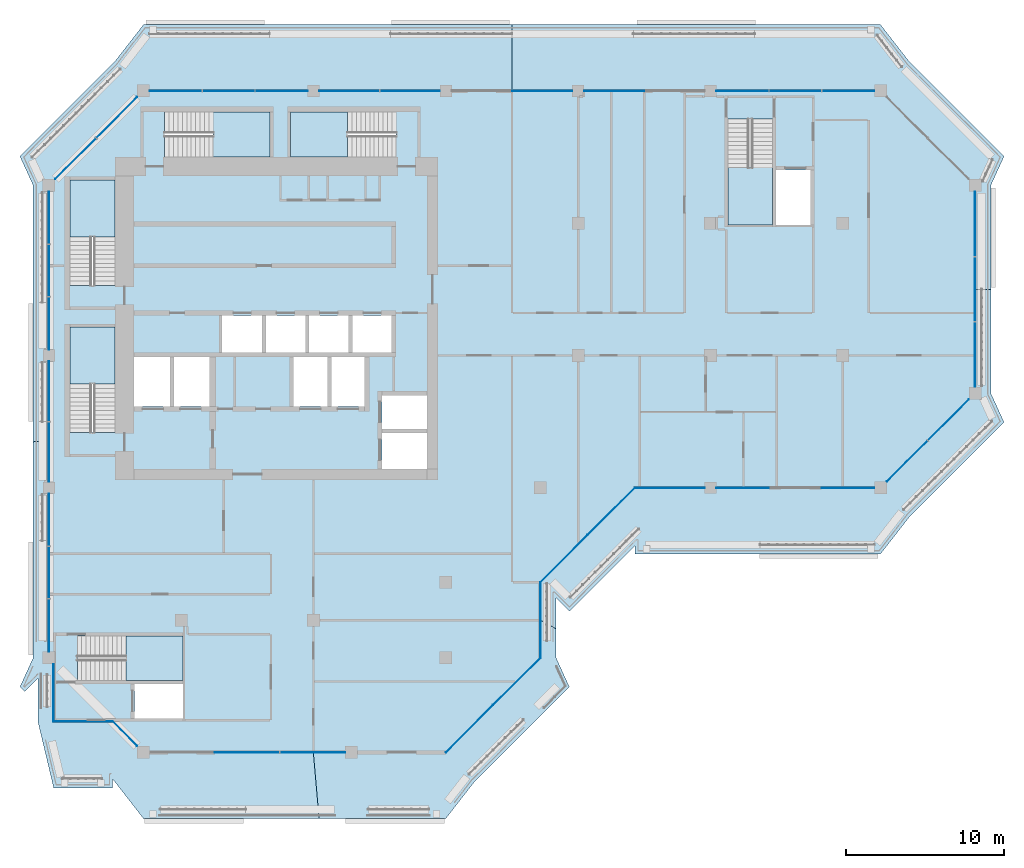
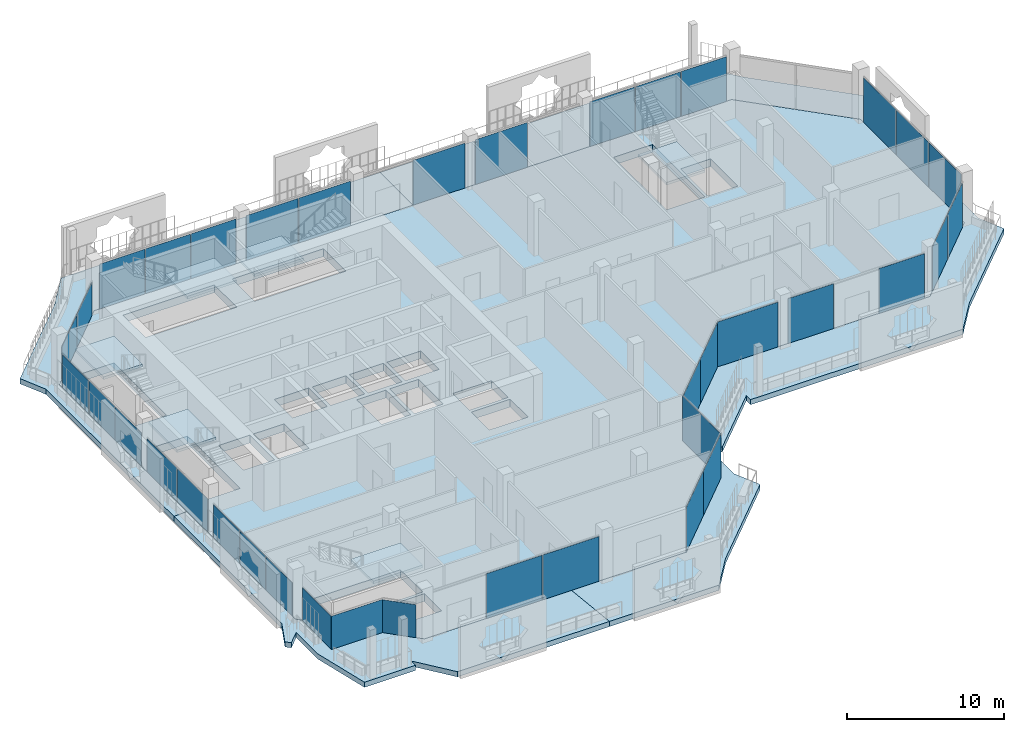
# One storey, part 9 of 22: 38 plates, 12 slabs, 19 elements without a shape of their own.
"""IFC4 building model written with IfcOpenShell, lengths in metres."""

from ifc_helpers import new_model, si_unit, direction, frame, origin, origin_2d, place, context, subcontext, project, spatial, polyline, rectangle, outline, extrude, material, layer, layer_set, type_object, element, aggregate, save


model = new_model("IFC4")

# Units and contexts
model_context = context("Model", 3, precision=1e-05, world=origin(), true_north=direction((0.0, 1.0)))
body_context = subcontext(model_context, "Body", "Model", "MODEL_VIEW")
ifc_project = project(units=[si_unit("LENGTHUNIT", "METRE"), si_unit("AREAUNIT", "SQUARE_METRE"), si_unit("VOLUMEUNIT", "CUBIC_METRE"), si_unit("PLANEANGLEUNIT", "RADIAN"), si_unit("MASSUNIT", "GRAM", prefix="KILO")], contexts=[model_context])

# Site, building, storey
site_placement = place(None, origin())
site = spatial("IfcSite", under=ifc_project, at=site_placement, CompositionType="ELEMENT")
building_placement = place(site_placement, origin())
building = spatial("IfcBuilding", under=site, at=building_placement, Name="Kawkab Arch Medical Tower", CompositionType="ELEMENT")
storey_placement = place(building_placement, frame((0.0, 0.0, 298.60009765625)))
storey = spatial("IfcBuildingStorey", under=building, at=storey_placement, Name="L69", CompositionType="ELEMENT", Elevation=298.60009765625)

# Curtain wall, plates
ifc_material_1 = material(Name="Bronze anodised aluminium curtain wall frame", Category="aluminium")
ifc_layer_1 = layer(ifc_material_1, 0.159912109375)
ifc_layer_set_1 = layer_set([ifc_layer_1], Name="Bronze anodised aluminium curtain wall frame")
curtain_wall_type_1 = type_object("IfcCurtainWallType", Name="CW1 ward curtain wall", PredefinedType="NOTDEFINED", material=ifc_layer_set_1)
placement_1 = place(storey_placement, origin())
curtain_wall_1 = element("IfcCurtainWall", 1, at=placement_1, inside=storey, type_object=curtain_wall_type_1, Name="CW1 Ward curtain wall R02", PredefinedType="NOTDEFINED")
ifc_material_2 = material(Name="Tinted insulating glass, bronze low-e coating", Category="glass")
ifc_layer_2 = layer(ifc_material_2, 0.031982421875)
ifc_layer_set_2 = layer_set([ifc_layer_2], Name="Tinted insulating glass, bronze low-e coating")
plate_type_1 = type_object("IfcPlateType", Name="CW1 glazing unit 32", PredefinedType="CURTAIN_PANEL", material=ifc_layer_set_2)
plate_1_placement = place(storey_placement, frame((0.0, -8.055908203125, -0.000244140625), z_axis=(0.0, 0.0, 1.0), x_axis=(0.0, -1.0, 0.0)))
plate_1 = element("IfcPlate", 2, at=plate_1_placement, type_object=plate_type_1, Name="CW1 glazing unit 1.1", PredefinedType="CURTAIN_PANEL", context=body_context, shape_type="SweptSolid", body=[
    extrude(rectangle(XDim=3.311767578125, YDim=0.031982421875, at=origin_2d()), origin(), (0.0, 0.0, 1.0), 2.580078125),
])
plate_2_placement = place(storey_placement, frame((0.0, -11.41259765625, -0.000244140625), z_axis=(0.0, 0.0, 1.0), x_axis=(0.0, -1.0, 0.0)))
plate_2 = element("IfcPlate", 3, at=plate_2_placement, type_object=plate_type_1, Name="CW1 glazing unit 1.2", PredefinedType="CURTAIN_PANEL", context=body_context, shape_type="SweptSolid", body=[
    extrude(rectangle(XDim=3.28173828125, YDim=0.031982421875, at=origin_2d()), origin(), (0.0, 0.0, 1.0), 2.580078125),
])
plate_3_placement = place(storey_placement, frame((0.0, -14.769287109375, -0.000244140625), z_axis=(0.0, 0.0, 1.0), x_axis=(0.0, -1.0, 0.0)))
plate_3 = element("IfcPlate", 4, at=plate_3_placement, type_object=plate_type_1, Name="CW1 glazing unit 1.3", PredefinedType="CURTAIN_PANEL", context=body_context, shape_type="SweptSolid", body=[
    extrude(rectangle(XDim=3.311767578125, YDim=0.031982421875, at=origin_2d()), origin(), (0.0, 0.0, 1.0), 2.580078125),
])
plate_4_placement = place(storey_placement, frame((0.0, -19.072509765625, -0.000244140625), z_axis=(0.0, 0.0, 1.0), x_axis=(0.0, -1.0, 0.0)))
plate_4 = element("IfcPlate", 5, at=plate_4_placement, type_object=plate_type_1, Name="CW1 glazing unit 2.1", PredefinedType="CURTAIN_PANEL", context=body_context, shape_type="SweptSolid", body=[
    extrude(rectangle(XDim=3.794921875, YDim=0.031982421875, at=origin_2d()), origin(), (0.0, 0.0, 1.0), 2.580078125),
])
plate_5_placement = place(storey_placement, frame((0.0, -22.927490234375, -0.000244140625), z_axis=(0.0, 0.0, 1.0), x_axis=(0.0, -1.0, 0.0)))
plate_5 = element("IfcPlate", 6, at=plate_5_placement, type_object=plate_type_1, Name="CW1 glazing unit 2.2", PredefinedType="CURTAIN_PANEL", context=body_context, shape_type="SweptSolid", body=[
    extrude(rectangle(XDim=3.794921875, YDim=0.031982421875, at=origin_2d()), origin(), (0.0, 0.0, 1.0), 2.580078125),
])
plate_6_placement = place(storey_placement, frame((0.0, -27.230712890625, -0.000244140625), z_axis=(0.0, 0.0, 1.0), x_axis=(0.0, -1.0, 0.0)))
plate_6 = element("IfcPlate", 7, at=plate_6_placement, type_object=plate_type_1, Name="CW1 glazing unit 3.1", PredefinedType="CURTAIN_PANEL", context=body_context, shape_type="SweptSolid", body=[
    extrude(rectangle(XDim=3.311767578125, YDim=0.031982421875, at=origin_2d()), origin(), (0.0, 0.0, 1.0), 2.580078125),
])
plate_7_placement = place(storey_placement, frame((0.0, -30.58740234375, -0.000244140625), z_axis=(0.0, 0.0, 1.0), x_axis=(0.0, -1.0, 0.0)))
plate_7 = element("IfcPlate", 8, at=plate_7_placement, type_object=plate_type_1, Name="CW1 glazing unit 3.2", PredefinedType="CURTAIN_PANEL", context=body_context, shape_type="SweptSolid", body=[
    extrude(rectangle(XDim=3.28173828125, YDim=0.031982421875, at=origin_2d()), origin(), (0.0, 0.0, 1.0), 2.580078125),
])
plate_8_placement = place(storey_placement, frame((0.0, -33.944091796875, -0.000244140625), z_axis=(0.0, 0.0, 1.0), x_axis=(0.0, -1.0, 0.0)))
plate_8 = element("IfcPlate", 9, at=plate_8_placement, type_object=plate_type_1, Name="CW1 glazing unit 3.3", PredefinedType="CURTAIN_PANEL", context=body_context, shape_type="SweptSolid", body=[
    extrude(rectangle(XDim=3.311767578125, YDim=0.031982421875, at=origin_2d()), origin(), (0.0, 0.0, 1.0), 2.580078125),
])
aggregate(curtain_wall_1, [plate_1, plate_2, plate_3, plate_4, plate_5, plate_6, plate_7, plate_8])

# Curtain wall, plate
curtain_wall_2 = element("IfcCurtainWall", 10, at=placement_1, inside=storey, type_object=curtain_wall_type_1, Name="CW1 Ward curtain wall R04", PredefinedType="NOTDEFINED")
plate_9_placement = place(storey_placement, frame((0.300048828125, -38.22509765625, -0.000244140625), z_axis=(0.0, 0.0, 1.0), x_axis=(0.0, -1.0, 0.0)))
plate_9 = element("IfcPlate", 11, at=plate_9_placement, type_object=plate_type_1, Name="CW1 glazing unit 1.1", PredefinedType="CURTAIN_PANEL", context=body_context, shape_type="SweptSolid", body=[
    extrude(rectangle(XDim=3.64990234375, YDim=0.031982421875, at=origin_2d()), origin(), (0.0, 0.0, 1.0), 2.580078125),
])
aggregate(curtain_wall_2, [plate_9])

curtain_wall_3 = element("IfcCurtainWall", 12, at=placement_1, inside=storey, type_object=curtain_wall_type_1, Name="CW1 Ward curtain wall R05", PredefinedType="NOTDEFINED")
plate_10_placement = place(storey_placement, frame((2.175048828125, -40.050048828125, -0.000244140625), z_axis=(0.0, 0.0, 1.0), x_axis=(1.0, 0.0, 0.0)))
plate_10 = element("IfcPlate", 13, at=plate_10_placement, type_object=plate_type_1, Name="CW1 glazing unit 1.1", PredefinedType="CURTAIN_PANEL", context=body_context, shape_type="SweptSolid", body=[
    extrude(rectangle(XDim=3.75, YDim=0.031982421875, at=origin_2d()), origin(), (0.0, 0.0, 1.0), 2.580078125),
])
aggregate(curtain_wall_3, [plate_10])

# Curtain wall, plates
curtain_wall_4 = element("IfcCurtainWall", 14, at=placement_1, inside=storey, type_object=curtain_wall_type_1, Name="CW1 Ward curtain wall R07", PredefinedType="NOTDEFINED")
plate_11_placement = place(storey_placement, frame((12.5849609375, -42.0, 0.0), z_axis=(0.0, 0.0, 1.0), x_axis=(1.0, 0.0, 0.0)))
plate_11 = element("IfcPlate", 15, at=plate_11_placement, type_object=plate_type_1, Name="CW1 glazing unit 1.2", PredefinedType="CURTAIN_PANEL", context=body_context, shape_type="SweptSolid", body=[
    extrude(rectangle(XDim=4.103271484375, YDim=0.031982421875, at=origin_2d()), origin(), (0.0, 0.0, 1.0), 3.47998046875),
])
plate_12_placement = place(storey_placement, frame((16.748291015625, -42.0, 0.0), z_axis=(0.0, 0.0, 1.0), x_axis=(1.0, 0.0, 0.0)))
plate_12 = element("IfcPlate", 16, at=plate_12_placement, type_object=plate_type_1, Name="CW1 glazing unit 1.3", PredefinedType="CURTAIN_PANEL", context=body_context, shape_type="SweptSolid", body=[
    extrude(rectangle(XDim=4.103271484375, YDim=0.031982421875, at=origin_2d()), origin(), (0.0, 0.0, 1.0), 3.47998046875),
])
aggregate(curtain_wall_4, [plate_11, plate_12])

# Curtain wall, plate
curtain_wall_5 = element("IfcCurtainWall", 17, at=placement_1, inside=storey, type_object=curtain_wall_type_1, Name="CW1 Ward curtain wall R09", PredefinedType="NOTDEFINED")
plate_13_placement = place(storey_placement, frame((31.199951171875, -33.60009765625, 0.0), z_axis=(0.0, 0.0, 1.0), x_axis=(0.0, 1.0, 0.0)))
plate_13 = element("IfcPlate", 18, at=plate_13_placement, type_object=plate_type_1, Name="CW1 glazing unit 1.1", PredefinedType="CURTAIN_PANEL", context=body_context, shape_type="SweptSolid", body=[
    extrude(rectangle(XDim=4.800048828125, YDim=0.031982421875, at=origin_2d()), origin(), (0.0, 0.0, 1.0), 3.47998046875),
])
aggregate(curtain_wall_5, [plate_13])

# Curtain wall, plates
curtain_wall_6 = element("IfcCurtainWall", 19, at=placement_1, inside=storey, type_object=curtain_wall_type_1, Name="CW1 Ward curtain wall R11", PredefinedType="NOTDEFINED")
plate_14_placement = place(storey_placement, frame((39.41259765625, -25.199951171875, 0.0), z_axis=(0.0, 0.0, 1.0), x_axis=(1.0, 0.0, 0.0)))
plate_14 = element("IfcPlate", 20, at=plate_14_placement, type_object=plate_type_1, Name="CW1 glazing unit 1.1", PredefinedType="CURTAIN_PANEL", context=body_context, shape_type="SweptSolid", body=[
    extrude(rectangle(XDim=4.425048828125, YDim=0.031982421875, at=origin_2d()), origin(), (0.0, 0.0, 1.0), 3.47998046875),
])
plate_15_placement = place(storey_placement, frame((44.0458984375, -25.199951171875, 0.0), z_axis=(0.0, 0.0, 1.0), x_axis=(1.0, 0.0, 0.0)))
plate_15 = element("IfcPlate", 21, at=plate_15_placement, type_object=plate_type_1, Name="CW1 glazing unit 2.1", PredefinedType="CURTAIN_PANEL", context=body_context, shape_type="SweptSolid", body=[
    extrude(rectangle(XDim=3.341552734375, YDim=0.031982421875, at=origin_2d()), origin(), (0.0, 0.0, 1.0), 3.47998046875),
])
plate_16_placement = place(storey_placement, frame((50.729248046875, -25.199951171875, 0.0), z_axis=(0.0, 0.0, 1.0), x_axis=(1.0, 0.0, 0.0)))
plate_16 = element("IfcPlate", 22, at=plate_16_placement, type_object=plate_type_1, Name="CW1 glazing unit 2.3", PredefinedType="CURTAIN_PANEL", context=body_context, shape_type="SweptSolid", body=[
    extrude(rectangle(XDim=3.341552734375, YDim=0.031982421875, at=origin_2d()), origin(), (0.0, 0.0, 1.0), 3.47998046875),
])
aggregate(curtain_wall_6, [plate_14, plate_15, plate_16])

curtain_wall_7 = element("IfcCurtainWall", 23, at=placement_1, inside=storey, type_object=curtain_wall_type_1, Name="CW1 Ward curtain wall R13", PredefinedType="NOTDEFINED")
plate_17_placement = place(storey_placement, frame((58.800048828125, -16.748291015625, 0.0), z_axis=(0.0, 0.0, 1.0), x_axis=(0.0, 1.0, 0.0)))
plate_17 = element("IfcPlate", 24, at=plate_17_placement, type_object=plate_type_1, Name="CW1 glazing unit 1.1", PredefinedType="CURTAIN_PANEL", context=body_context, shape_type="SweptSolid", body=[
    extrude(rectangle(XDim=4.103271484375, YDim=0.031982421875, at=origin_2d()), origin(), (0.0, 0.0, 1.0), 3.47998046875),
])
plate_18_placement = place(storey_placement, frame((58.800048828125, -12.60009765625, 0.0), z_axis=(0.0, 0.0, 1.0), x_axis=(0.0, 1.0, 0.0)))
plate_18 = element("IfcPlate", 25, at=plate_18_placement, type_object=plate_type_1, Name="CW1 glazing unit 1.2", PredefinedType="CURTAIN_PANEL", context=body_context, shape_type="SweptSolid", body=[
    extrude(rectangle(XDim=4.0732421875, YDim=0.031982421875, at=origin_2d()), origin(), (0.0, 0.0, 1.0), 3.47998046875),
])
plate_19_placement = place(storey_placement, frame((58.800048828125, -8.45166015625, 0.0), z_axis=(0.0, 0.0, 1.0), x_axis=(0.0, 1.0, 0.0)))
plate_19 = element("IfcPlate", 26, at=plate_19_placement, type_object=plate_type_1, Name="CW1 glazing unit 1.3", PredefinedType="CURTAIN_PANEL", context=body_context, shape_type="SweptSolid", body=[
    extrude(rectangle(XDim=4.103271484375, YDim=0.031982421875, at=origin_2d()), origin(), (0.0, 0.0, 1.0), 3.47998046875),
])
aggregate(curtain_wall_7, [plate_17, plate_18, plate_19])

curtain_wall_8 = element("IfcCurtainWall", 27, at=placement_1, inside=storey, type_object=curtain_wall_type_1, Name="CW1 Ward curtain wall R15", PredefinedType="NOTDEFINED")
plate_20_placement = place(storey_placement, frame((50.744140625, 0.0, 0.0), z_axis=(0.0, 0.0, 1.0), x_axis=(-1.0, 0.0, 0.0)))
plate_20 = element("IfcPlate", 28, at=plate_20_placement, type_object=plate_type_1, Name="CW1 glazing unit 1.1", PredefinedType="CURTAIN_PANEL", context=body_context, shape_type="SweptSolid", body=[
    extrude(rectangle(XDim=3.311767578125, YDim=0.031982421875, at=origin_2d()), origin(), (0.0, 0.0, 1.0), 3.47998046875),
])
plate_21_placement = place(storey_placement, frame((47.387451171875, 0.0, 0.0), z_axis=(0.0, 0.0, 1.0), x_axis=(-1.0, 0.0, 0.0)))
plate_21 = element("IfcPlate", 29, at=plate_21_placement, type_object=plate_type_1, Name="CW1 glazing unit 1.2", PredefinedType="CURTAIN_PANEL", context=body_context, shape_type="SweptSolid", body=[
    extrude(rectangle(XDim=3.28173828125, YDim=0.031982421875, at=origin_2d()), origin(), (0.0, 0.0, 1.0), 3.47998046875),
])
plate_22_placement = place(storey_placement, frame((44.03076171875, 0.0, 0.0), z_axis=(0.0, 0.0, 1.0), x_axis=(-1.0, 0.0, 0.0)))
plate_22 = element("IfcPlate", 30, at=plate_22_placement, type_object=plate_type_1, Name="CW1 glazing unit 1.3", PredefinedType="CURTAIN_PANEL", context=body_context, shape_type="SweptSolid", body=[
    extrude(rectangle(XDim=3.311767578125, YDim=0.031982421875, at=origin_2d()), origin(), (0.0, 0.0, 1.0), 3.47998046875),
])
plate_23_placement = place(storey_placement, frame((35.887451171875, 0.0, 0.0), z_axis=(0.0, 0.0, 1.0), x_axis=(-1.0, 0.0, 0.0)))
plate_23 = element("IfcPlate", 31, at=plate_23_placement, type_object=plate_type_1, Name="CW1 glazing unit 2.2", PredefinedType="CURTAIN_PANEL", context=body_context, shape_type="SweptSolid", body=[
    extrude(rectangle(XDim=3.824951171875, YDim=0.031982421875, at=origin_2d()), origin(), (0.0, 0.0, 1.0), 3.47998046875),
])
plate_24_placement = place(storey_placement, frame((31.3125, 0.0, 0.0), z_axis=(0.0, 0.0, 1.0), x_axis=(-1.0, 0.0, 0.0)))
plate_24 = element("IfcPlate", 32, at=plate_24_placement, type_object=plate_type_1, Name="CW1 glazing unit 3.1", PredefinedType="CURTAIN_PANEL", context=body_context, shape_type="SweptSolid", body=[
    extrude(rectangle(XDim=3.824951171875, YDim=0.031982421875, at=origin_2d()), origin(), (0.0, 0.0, 1.0), 3.47998046875),
])
plate_25_placement = place(storey_placement, frame((22.927490234375, 0.0, 0.0), z_axis=(0.0, 0.0, 1.0), x_axis=(-1.0, 0.0, 0.0)))
plate_25 = element("IfcPlate", 33, at=plate_25_placement, type_object=plate_type_1, Name="CW1 glazing unit 4.1", PredefinedType="CURTAIN_PANEL", context=body_context, shape_type="SweptSolid", body=[
    extrude(rectangle(XDim=3.794921875, YDim=0.031982421875, at=origin_2d()), origin(), (0.0, 0.0, 1.0), 3.47998046875),
])
plate_26_placement = place(storey_placement, frame((19.072509765625, 0.0, 0.0), z_axis=(0.0, 0.0, 1.0), x_axis=(-1.0, 0.0, 0.0)))
plate_26 = element("IfcPlate", 34, at=plate_26_placement, type_object=plate_type_1, Name="CW1 glazing unit 4.2", PredefinedType="CURTAIN_PANEL", context=body_context, shape_type="SweptSolid", body=[
    extrude(rectangle(XDim=3.794921875, YDim=0.031982421875, at=origin_2d()), origin(), (0.0, 0.0, 1.0), 3.47998046875),
])
plate_27_placement = place(storey_placement, frame((14.769287109375, 0.0, 0.0), z_axis=(0.0, 0.0, 1.0), x_axis=(-1.0, 0.0, 0.0)))
plate_27 = element("IfcPlate", 35, at=plate_27_placement, type_object=plate_type_1, Name="CW1 glazing unit 5.1", PredefinedType="CURTAIN_PANEL", context=body_context, shape_type="SweptSolid", body=[
    extrude(rectangle(XDim=3.311767578125, YDim=0.031982421875, at=origin_2d()), origin(), (0.0, 0.0, 1.0), 3.47998046875),
])
plate_28_placement = place(storey_placement, frame((11.41259765625, 0.0, 0.0), z_axis=(0.0, 0.0, 1.0), x_axis=(-1.0, 0.0, 0.0)))
plate_28 = element("IfcPlate", 36, at=plate_28_placement, type_object=plate_type_1, Name="CW1 glazing unit 5.2", PredefinedType="CURTAIN_PANEL", context=body_context, shape_type="SweptSolid", body=[
    extrude(rectangle(XDim=3.28173828125, YDim=0.031982421875, at=origin_2d()), origin(), (0.0, 0.0, 1.0), 3.47998046875),
])
plate_29_placement = place(storey_placement, frame((8.055908203125, 0.0, 0.0), z_axis=(0.0, 0.0, 1.0), x_axis=(-1.0, 0.0, 0.0)))
plate_29 = element("IfcPlate", 37, at=plate_29_placement, type_object=plate_type_1, Name="CW1 glazing unit 5.3", PredefinedType="CURTAIN_PANEL", context=body_context, shape_type="SweptSolid", body=[
    extrude(rectangle(XDim=3.311767578125, YDim=0.031982421875, at=origin_2d()), origin(), (0.0, 0.0, 1.0), 3.47998046875),
])
aggregate(curtain_wall_8, [plate_20, plate_21, plate_22, plate_23, plate_24, plate_25, plate_26, plate_27, plate_28, plate_29])

ifc_material_3 = material(Name="Bronze anodised aluminium curtain wall frame", Category="aluminium")
ifc_layer_3 = layer(ifc_material_3, 0.159912109375)
ifc_layer_set_3 = layer_set([ifc_layer_3], Name="Bronze anodised aluminium curtain wall frame")
curtain_wall_type_2 = type_object("IfcCurtainWallType", Name="CW2 chamfer curtain wall", PredefinedType="NOTDEFINED", material=ifc_layer_set_3)
curtain_wall_9 = element("IfcCurtainWall", 38, at=placement_1, inside=storey, type_object=curtain_wall_type_2, Name="CW2 Chamfer curtain wall R01", PredefinedType="NOTDEFINED")
ifc_material_4 = material(Name="Tinted insulating glass, bronze low-e coating", Category="glass")
ifc_layer_4 = layer(ifc_material_4, 0.031982421875)
ifc_layer_set_4 = layer_set([ifc_layer_4], Name="Tinted insulating glass, bronze low-e coating")
plate_type_2 = type_object("IfcPlateType", Name="CW2 glazing unit 32", PredefinedType="CURTAIN_PANEL", material=ifc_layer_set_4)
plate_30_placement = place(storey_placement, frame((4.310546875, -1.689453125, -0.000244140625), z_axis=(0.0, 0.0, 1.0), x_axis=(-0.707106781187, -0.707106781187, 0.0)))
plate_30 = element("IfcPlate", 39, at=plate_30_placement, type_object=plate_type_2, Name="CW2 glazing unit 1.1", PredefinedType="CURTAIN_PANEL", context=body_context, shape_type="SweptSolid", body=[
    extrude(rectangle(XDim=3.64697265625, YDim=0.031982421875, at=origin_2d()), origin(), (0.0, 0.0, 1.0), 2.56005859375),
])
plate_31_placement = place(storey_placement, frame((1.689453125, -4.310546875, -0.000244140625), z_axis=(0.0, 0.0, 1.0), x_axis=(-0.707106781187, -0.707106781187, 0.0)))
plate_31 = element("IfcPlate", 40, at=plate_31_placement, type_object=plate_type_2, Name="CW2 glazing unit 1.2", PredefinedType="CURTAIN_PANEL", context=body_context, shape_type="SweptSolid", body=[
    extrude(rectangle(XDim=3.64697265625, YDim=0.031982421875, at=origin_2d()), origin(), (0.0, 0.0, 1.0), 2.56005859375),
])
aggregate(curtain_wall_9, [plate_30, plate_31])

# Curtain wall, plate
curtain_wall_10 = element("IfcCurtainWall", 41, at=placement_1, inside=storey, type_object=curtain_wall_type_2, Name="CW2 Chamfer curtain wall R06", PredefinedType="NOTDEFINED")
plate_32_placement = place(storey_placement, frame((4.824951171875, -40.824951171875, -0.000244140625), z_axis=(0.0, 0.0, 1.0), x_axis=(0.707106781187, -0.707106781187, 0.0)))
plate_32 = element("IfcPlate", 42, at=plate_32_placement, type_object=plate_type_2, Name="CW2 glazing unit 1.1", PredefinedType="CURTAIN_PANEL", context=body_context, shape_type="SweptSolid", body=[
    extrude(rectangle(XDim=2.192138671875, YDim=0.031982421875, at=origin_2d()), origin(), (0.0, 0.0, 1.0), 2.56005859375),
])
aggregate(curtain_wall_10, [plate_32])

# Curtain wall, plates
curtain_wall_11 = element("IfcCurtainWall", 43, at=placement_1, inside=storey, type_object=curtain_wall_type_2, Name="CW2 Chamfer curtain wall R08", PredefinedType="NOTDEFINED")
plate_33_placement = place(storey_placement, frame((26.699951171875, -40.5, 0.0), z_axis=(0.0, 0.0, 1.0), x_axis=(0.707106781187, 0.707106781187, 0.0)))
plate_33 = element("IfcPlate", 44, at=plate_33_placement, type_object=plate_type_2, Name="CW2 glazing unit 1.1", PredefinedType="CURTAIN_PANEL", context=body_context, shape_type="SweptSolid", body=[
    extrude(rectangle(XDim=4.24267578125, YDim=0.031982421875, at=origin_2d()), origin(), (0.0, 0.0, 1.0), 3.4599609375),
])
plate_34_placement = place(storey_placement, frame((29.699951171875, -37.5, 0.0), z_axis=(0.0, 0.0, 1.0), x_axis=(0.707106781187, 0.707106781187, 0.0)))
plate_34 = element("IfcPlate", 45, at=plate_34_placement, type_object=plate_type_2, Name="CW2 glazing unit 2.1", PredefinedType="CURTAIN_PANEL", context=body_context, shape_type="SweptSolid", body=[
    extrude(rectangle(XDim=4.24267578125, YDim=0.031982421875, at=origin_2d()), origin(), (0.0, 0.0, 1.0), 3.4599609375),
])
aggregate(curtain_wall_11, [plate_33, plate_34])

curtain_wall_12 = element("IfcCurtainWall", 46, at=placement_1, inside=storey, type_object=curtain_wall_type_2, Name="CW2 Chamfer curtain wall R10", PredefinedType="NOTDEFINED")
plate_35_placement = place(storey_placement, frame((32.699951171875, -29.699951171875, 0.0), z_axis=(0.0, 0.0, 1.0), x_axis=(0.707106781187, 0.707106781187, 0.0)))
plate_35 = element("IfcPlate", 47, at=plate_35_placement, type_object=plate_type_2, Name="CW2 glazing unit 1.1", PredefinedType="CURTAIN_PANEL", context=body_context, shape_type="SweptSolid", body=[
    extrude(rectangle(XDim=4.24267578125, YDim=0.031982421875, at=origin_2d()), origin(), (0.0, 0.0, 1.0), 3.4599609375),
])
plate_36_placement = place(storey_placement, frame((35.699951171875, -26.699951171875, 0.0), z_axis=(0.0, 0.0, 1.0), x_axis=(0.707106781187, 0.707106781187, 0.0)))
plate_36 = element("IfcPlate", 48, at=plate_36_placement, type_object=plate_type_2, Name="CW2 glazing unit 2.1", PredefinedType="CURTAIN_PANEL", context=body_context, shape_type="SweptSolid", body=[
    extrude(rectangle(XDim=4.24267578125, YDim=0.031982421875, at=origin_2d()), origin(), (0.0, 0.0, 1.0), 3.4599609375),
])
aggregate(curtain_wall_12, [plate_35, plate_36])

curtain_wall_13 = element("IfcCurtainWall", 49, at=placement_1, inside=storey, type_object=curtain_wall_type_2, Name="CW2 Chamfer curtain wall R12", PredefinedType="NOTDEFINED")
plate_37_placement = place(storey_placement, frame((54.489501953125, -23.510498046875, 0.0), z_axis=(0.0, 0.0, 1.0), x_axis=(0.707106781187, 0.707106781187, 0.0)))
plate_37 = element("IfcPlate", 50, at=plate_37_placement, type_object=plate_type_2, Name="CW2 glazing unit 1.1", PredefinedType="CURTAIN_PANEL", context=body_context, shape_type="SweptSolid", body=[
    extrude(rectangle(XDim=3.64697265625, YDim=0.031982421875, at=origin_2d()), origin(), (0.0, 0.0, 1.0), 3.4599609375),
])
plate_38_placement = place(storey_placement, frame((57.110595703125, -20.889404296875, 0.0), z_axis=(0.0, 0.0, 1.0), x_axis=(0.707106781187, 0.707106781187, 0.0)))
plate_38 = element("IfcPlate", 51, at=plate_38_placement, type_object=plate_type_2, Name="CW2 glazing unit 1.2", PredefinedType="CURTAIN_PANEL", context=body_context, shape_type="SweptSolid", body=[
    extrude(rectangle(XDim=3.64697265625, YDim=0.031982421875, at=origin_2d()), origin(), (0.0, 0.0, 1.0), 3.4599609375),
])
aggregate(curtain_wall_13, [plate_37, plate_38])

# Stair, slab
ifc_material_5 = material(Name="Concrete C40/50", Category="concrete")
stair_type = type_object("IfcStairType", Name="Exit stair 1350", PredefinedType="HALF_TURN_STAIR", material=ifc_material_5)
stair_1 = element("IfcStair", 52, at=placement_1, inside=storey, type_object=stair_type, Name="L69 Exit stair ST1", PredefinedType="HALF_TURN_STAIR")
ifc_material_6 = material(Name="Concrete C40/50", Category="concrete")
ifc_layer_5 = layer(ifc_material_6, 0.199951171875)
ifc_layer_set_5 = layer_set([ifc_layer_5], Name="Concrete C40/50")
slab_type_1 = type_object("IfcSlabType", Name="Exit stair landing 200", PredefinedType="LANDING", material=ifc_layer_set_5)
placement_2 = place(storey_placement, frame((0.0, 0.0, 1.89990234375)))
slab_1 = element("IfcSlab", 53, at=placement_2, type_object=slab_type_1, Name="ST1 landing 1", PredefinedType="LANDING", context=body_context, shape_type="SweptSolid", body=[
    extrude(outline(polyline([(4.199951171875, -9.27001953125), (4.199951171875, -5.64990234375), (1.35009765625, -5.64990234375), (1.35009765625, -9.27001953125), (4.199951171875, -9.27001953125)])), origin(), (0.0, 0.0, 1.0), 0.199951171875),
])
aggregate(stair_1, [slab_1])

stair_2 = element("IfcStair", 54, at=placement_1, inside=storey, type_object=stair_type, Name="L69 Exit stair ST2", PredefinedType="HALF_TURN_STAIR")
slab_2 = element("IfcSlab", 55, at=placement_2, type_object=slab_type_1, Name="ST2 landing 1", PredefinedType="LANDING", context=body_context, shape_type="SweptSolid", body=[
    extrude(outline(polyline([(4.199951171875, -18.6201171875), (4.199951171875, -15.0), (1.35009765625, -15.0), (1.35009765625, -18.6201171875), (4.199951171875, -18.6201171875)])), origin(), (0.0, 0.0, 1.0), 0.199951171875),
])
aggregate(stair_2, [slab_2])

stair_3 = element("IfcStair", 56, at=placement_1, inside=storey, type_object=stair_type, Name="L69 Exit stair ST3", PredefinedType="HALF_TURN_STAIR")
slab_3 = element("IfcSlab", 57, at=placement_2, type_object=slab_type_1, Name="ST3 landing 1", PredefinedType="LANDING", context=body_context, shape_type="SweptSolid", body=[
    extrude(outline(polyline([(10.429931640625, -4.199951171875), (14.050048828125, -4.199951171875), (14.050048828125, -1.35009765625), (10.429931640625, -1.35009765625), (10.429931640625, -4.199951171875)])), origin(), (0.0, 0.0, 1.0), 0.199951171875),
])
aggregate(stair_3, [slab_3])

stair_4 = element("IfcStair", 58, at=placement_1, inside=storey, type_object=stair_type, Name="L69 Exit stair ST4", PredefinedType="HALF_TURN_STAIR")
slab_4 = element("IfcSlab", 59, at=placement_2, type_object=slab_type_1, Name="ST4 landing 1", PredefinedType="LANDING", context=body_context, shape_type="SweptSolid", body=[
    extrude(outline(polyline([(18.969970703125, -1.35009765625), (15.35009765625, -1.35009765625), (15.35009765625, -4.199951171875), (18.969970703125, -4.199951171875), (18.969970703125, -1.35009765625)])), origin(), (0.0, 0.0, 1.0), 0.199951171875),
])
aggregate(stair_4, [slab_4])

stair_5 = element("IfcStair", 60, at=placement_1, inside=storey, type_object=stair_type, Name="L69 Exit stair ST5", PredefinedType="HALF_TURN_STAIR")
slab_5 = element("IfcSlab", 61, at=placement_2, type_object=slab_type_1, Name="ST5 landing 1", PredefinedType="LANDING", context=body_context, shape_type="SweptSolid", body=[
    extrude(outline(polyline([(43.10009765625, -4.8798828125), (43.10009765625, -8.5), (45.949951171875, -8.5), (45.949951171875, -4.8798828125), (43.10009765625, -4.8798828125)])), origin(), (0.0, 0.0, 1.0), 0.199951171875),
])
aggregate(stair_5, [slab_5])

stair_6 = element("IfcStair", 62, at=placement_1, inside=storey, type_object=stair_type, Name="L69 Exit stair ST6", PredefinedType="HALF_TURN_STAIR")
slab_6 = element("IfcSlab", 63, at=placement_2, type_object=slab_type_1, Name="ST6 landing 1", PredefinedType="LANDING", context=body_context, shape_type="SweptSolid", body=[
    extrude(outline(polyline([(4.8798828125, -37.449951171875), (8.5, -37.449951171875), (8.5, -34.60009765625), (4.8798828125, -34.60009765625), (4.8798828125, -37.449951171875)])), origin(), (0.0, 0.0, 1.0), 0.199951171875),
])
aggregate(stair_6, [slab_6])

# Slabs
ifc_material_7 = material(Name="Concrete C45/55", Category="concrete")
ifc_layer_6 = layer(ifc_material_7, 0.60009765625)
ifc_layer_set_6 = layer_set([ifc_layer_6], Name="Concrete C45/55")
slab_type_2 = type_object("IfcSlabType", Name="Flat plate 600 C45/55", PredefinedType="FLOOR", material=ifc_layer_set_6)
slab_7_placement = place(storey_placement, frame((0.0, 0.0, -0.60009765625)))
element("IfcSlab", 64, at=slab_7_placement, inside=storey, type_object=slab_type_2, Name="Floor slab L69", PredefinedType="FLOOR", context=body_context, shape_type="SweptSolid", body=[
    extrude(outline(polyline([(52.800048828125, 0.0), (58.800048828125, -6.0), (58.800048828125, -19.199951171875), (52.800048828125, -25.199951171875), (37.199951171875, -25.199951171875), (31.199951171875, -31.199951171875), (31.199951171875, -36.0), (25.199951171875, -42.0), (6.0, -42.0), (4.050048828125, -40.050048828125), (0.300048828125, -40.050048828125), (0.300048828125, -36.300048828125), (0.0, -36.0), (0.0, -6.0), (6.0, 0.0), (52.800048828125, 0.0)]), holes=[polyline([(5.425048828125, -37.64990234375), (5.425048828125, -39.85009765625), (8.5, -39.85009765625), (8.5, -37.64990234375), (5.425048828125, -37.64990234375)]), polyline([(8.5, -37.449951171875), (8.5, -34.60009765625), (1.800048828125, -34.60009765625), (1.800048828125, -37.449951171875), (8.5, -37.449951171875)]), polyline([(5.39990234375, -20.050048828125), (7.675048828125, -20.050048828125), (7.675048828125, -16.89990234375), (5.39990234375, -16.89990234375), (5.39990234375, -20.050048828125)]), polyline([(10.199951171875, -16.89990234375), (7.925048828125, -16.89990234375), (7.925048828125, -20.050048828125), (10.199951171875, -20.050048828125), (10.199951171875, -16.89990234375)]), polyline([(4.199951171875, -15.0), (1.35009765625, -15.0), (1.35009765625, -21.699951171875), (4.199951171875, -21.699951171875), (4.199951171875, -15.0)]), polyline([(11.0, -16.60009765625), (13.52490234375, -16.60009765625), (13.52490234375, -14.25), (11.0, -14.25), (11.0, -16.60009765625)]), polyline([(13.77490234375, -16.60009765625), (16.27490234375, -16.60009765625), (16.27490234375, -14.25), (13.77490234375, -14.25), (13.77490234375, -16.60009765625)]), polyline([(4.199951171875, -12.35009765625), (4.199951171875, -5.64990234375), (1.35009765625, -5.64990234375), (1.35009765625, -12.35009765625), (4.199951171875, -12.35009765625)]), polyline([(7.35009765625, -4.199951171875), (14.050048828125, -4.199951171875), (14.050048828125, -1.35009765625), (7.35009765625, -1.35009765625), (7.35009765625, -4.199951171875)]), polyline([(24.0, -21.72509765625), (21.14990234375, -21.72509765625), (21.14990234375, -24.0), (24.0, -24.0), (24.0, -21.72509765625)]), polyline([(24.0, -19.35009765625), (21.14990234375, -19.35009765625), (21.14990234375, -21.47509765625), (24.0, -21.47509765625), (24.0, -19.35009765625)]), polyline([(17.675048828125, -16.89990234375), (15.52490234375, -16.89990234375), (15.52490234375, -20.050048828125), (17.675048828125, -20.050048828125), (17.675048828125, -16.89990234375)]), polyline([(20.050048828125, -16.89990234375), (17.925048828125, -16.89990234375), (17.925048828125, -20.050048828125), (20.050048828125, -20.050048828125), (20.050048828125, -16.89990234375)]), polyline([(19.02490234375, -14.25), (16.52490234375, -14.25), (16.52490234375, -16.60009765625), (19.02490234375, -16.60009765625), (19.02490234375, -14.25)]), polyline([(21.75, -16.60009765625), (21.75, -14.25), (19.27490234375, -14.25), (19.27490234375, -16.60009765625), (21.75, -16.60009765625)]), polyline([(46.14990234375, -8.5), (48.35009765625, -8.5), (48.35009765625, -5.02490234375), (46.14990234375, -5.02490234375), (46.14990234375, -8.5)]), polyline([(43.10009765625, -1.800048828125), (43.10009765625, -8.5), (45.949951171875, -8.5), (45.949951171875, -1.800048828125), (43.10009765625, -1.800048828125)]), polyline([(22.050048828125, -1.35009765625), (15.35009765625, -1.35009765625), (15.35009765625, -4.199951171875), (22.050048828125, -4.199951171875), (22.050048828125, -1.35009765625)])]), origin(), (0.0, 0.0, 1.0), 0.60009765625),
])
ifc_material_8 = material(Name="Concrete C40/50", Category="concrete")
ifc_layer_7 = layer(ifc_material_8, 0.39990234375)
ifc_layer_set_7 = layer_set([ifc_layer_7], Name="Concrete C40/50")
slab_type_3 = type_object("IfcSlabType", Name="Loggia slab 400", PredefinedType="FLOOR", material=ifc_layer_set_7)
placement_3 = place(storey_placement, frame((0.0, 0.0, -0.400146484375)))
element("IfcSlab", 65, at=placement_3, inside=storey, type_object=slab_type_3, Name="Loggia slab L69.1", PredefinedType="FLOOR", context=body_context, shape_type="SweptSolid", body=[
    extrude(outline(polyline([(33.0380859375, -37.837890625), (27.0380859375, -43.837890625), (25.199951171875, -46.199951171875), (17.154052734375, -46.199951171875), (16.787109375, -42.0009765625), (25.199951171875, -42.0009765625), (25.199951171875, -42.0), (31.199951171875, -36.0), (31.199951171875, -33.60107421875), (32.199951171875, -34.156005859375), (32.199951171875, -36.0), (33.0380859375, -37.837890625)])), origin(), (0.0, 0.0, 1.0), 0.400146484375),
])
element("IfcSlab", 66, at=placement_3, inside=storey, type_object=slab_type_3, Name="Loggia slab L69.2", PredefinedType="FLOOR", context=body_context, shape_type="SweptSolid", body=[
    extrude(outline(polyline([(4.050048828125, -44.25), (0.300048828125, -44.25), (-0.699951171875, -40.050048828125), (-0.699951171875, -37.299072265625), (-1.5380859375, -38.136962890625), (-1.837890625, -37.837890625), (-1.0, -36.0), (-1.0, -22.280029296875), (-0.0009765625, -22.22705078125), (-0.0009765625, -36.0), (0.0, -36.0), (0.299072265625, -36.300048828125), (0.299072265625, -40.050048828125), (4.050048828125, -40.050048828125), (6.0, -42.0), (6.0, -42.0009765625), (16.785888671875, -42.0009765625), (17.153076171875, -46.199951171875), (6.0, -46.199951171875), (4.162109375, -43.837890625), (4.050048828125, -43.72607421875), (4.050048828125, -44.25)])), origin(), (0.0, 0.0, 1.0), 0.400146484375),
])
element("IfcSlab", 67, at=placement_3, inside=storey, type_object=slab_type_3, Name="Loggia slab L69.3", PredefinedType="FLOOR", context=body_context, shape_type="SweptSolid", body=[
    extrude(outline(polyline([(31.199951171875, -31.199951171875), (37.199951171875, -25.199951171875), (52.800048828125, -25.199951171875), (58.800048828125, -19.199951171875), (58.800048828125, -12.60009765625), (59.800048828125, -12.60009765625), (59.800048828125, -19.199951171875), (60.637939453125, -21.0380859375), (54.637939453125, -27.0380859375), (52.800048828125, -29.39990234375), (37.199951171875, -29.39990234375), (37.199951171875, -28.8759765625), (33.0380859375, -33.037109375), (32.199951171875, -32.198974609375), (32.199951171875, -34.155029296875), (31.199951171875, -33.60009765625), (31.199951171875, -31.199951171875)])), origin(), (0.0, 0.0, 1.0), 0.400146484375),
])
element("IfcSlab", 68, at=placement_3, inside=storey, type_object=slab_type_3, Name="Loggia slab L69.4", PredefinedType="FLOOR", context=body_context, shape_type="SweptSolid", body=[
    extrude(outline(polyline([(-1.837890625, -4.162109375), (4.162109375, 1.837890625), (6.0, 4.199951171875), (29.39990234375, 4.199951171875), (29.39990234375, 0.0009765625), (6.0, 0.0009765625), (6.0, 0.0), (0.0, -6.0), (-0.0009765625, -6.0), (-0.0009765625, -22.22607421875), (-1.0, -22.279052734375), (-1.0, -6.0), (-1.837890625, -4.162109375)])), origin(), (0.0, 0.0, 1.0), 0.400146484375),
])
element("IfcSlab", 69, at=placement_3, inside=storey, type_object=slab_type_3, Name="Loggia slab L69.5", PredefinedType="FLOOR", context=body_context, shape_type="SweptSolid", body=[
    extrude(outline(polyline([(54.637939453125, 1.837890625), (60.637939453125, -4.162109375), (59.800048828125, -6.0), (59.800048828125, -12.60009765625), (58.800048828125, -12.60009765625), (58.800048828125, -6.0), (52.800048828125, 0.0), (52.800048828125, 0.0009765625), (29.39990234375, 0.0009765625), (29.39990234375, 4.199951171875), (52.800048828125, 4.199951171875), (54.637939453125, 1.837890625)])), origin(), (0.0, 0.0, 1.0), 0.400146484375),
])

save(model, "model.ifc")
